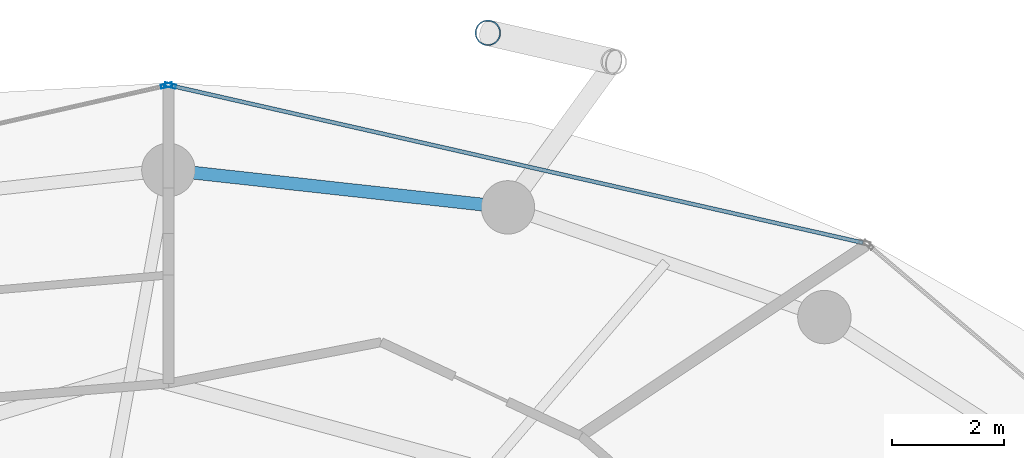
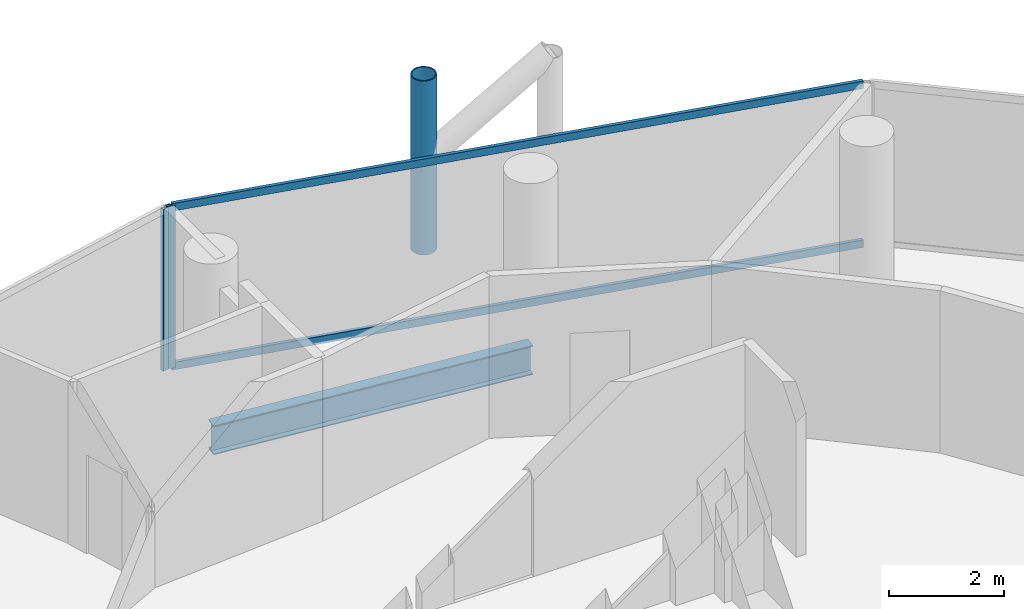
# One storey, part 17 of 26: 5 members, 1 beam, 2 elements without a shape of their own.
"""IFC4 building model written with IfcOpenShell, lengths in metres."""

from ifc_helpers import new_model, si_unit, direction, frame, origin, origin_2d, place, context, subcontext, project, spatial, hollow_rectangle, hollow_circle, i_section, extrude, material, layer, layer_set, material_profile, profile_set, type_object, element, aggregate, save


model = new_model("IFC4")

# Units and contexts
model_context = context("Model", 3, precision=1e-05, world=origin(), true_north=direction((0.0, 1.0)))
body_context = subcontext(model_context, "Body", "Model", "MODEL_VIEW")
ifc_project = project(units=[si_unit("LENGTHUNIT", "METRE"), si_unit("AREAUNIT", "SQUARE_METRE"), si_unit("VOLUMEUNIT", "CUBIC_METRE"), si_unit("PLANEANGLEUNIT", "RADIAN"), si_unit("MASSUNIT", "GRAM", prefix="KILO")], contexts=[model_context])

# Site, building, storey
site_placement = place(None, origin())
site = spatial("IfcSite", under=ifc_project, at=site_placement, CompositionType="ELEMENT")
building_placement = place(site_placement, origin())
building = spatial("IfcBuilding", under=site, at=building_placement, Name="Nuhasar Tower", CompositionType="ELEMENT")
storey_placement = place(building_placement, frame((0.0, 0.0, 133.050048828125)))
storey = spatial("IfcBuildingStorey", under=building, at=storey_placement, Name="L31", CompositionType="ELEMENT", Elevation=133.050048828125)

# Beam
ifc_material_1 = material(Name="Steel S355", Category="steel")
ifc_material_profile_1 = material_profile(ifc_material_1, i_section(OverallWidth=0.22998046875, OverallDepth=0.616943359375, WebThickness=0.01318359375, FlangeThickness=0.022216796875, at=origin_2d()), Name="W24X94")
ifc_profile_set_1 = profile_set([ifc_material_profile_1], Name="Steel S355")
beam_type = type_object("IfcBeamType", Name="BM-RING-W24X94", PredefinedType="SPANDREL", material=ifc_profile_set_1)
beam_placement = place(storey_placement, frame((45.04296875, 45.68408203125, -0.55810546875), z_axis=(-0.993981289157, 0.109549974015, 0.0), x_axis=(-0.109549974015, -0.993981289157, 0.0)))
element("IfcBeam", 1, at=beam_placement, inside=storey, type_object=beam_type, Name="L31 Perimeter Ring Spandrel 06", PredefinedType="SPANDREL", context=body_context, shape_type="SweptSolid", body=[
    extrude(i_section(OverallWidth=0.22998046875, OverallDepth=0.616943359375, WebThickness=0.01318359375, FlangeThickness=0.022216796875, at=origin_2d()), origin(), (0.0, 0.0, 1.0), 6.07958984375),
])

# Curtain wall, member
ifc_material_2 = material(Name="Aluminium 6063-T6", Category="aluminium")
ifc_layer = layer(ifc_material_2, 0.199951171875)
ifc_layer_set = layer_set([ifc_layer], Name="Aluminium 6063-T6")
curtain_wall_type = type_object("IfcCurtainWallType", Name="CW-Z2-HTL", PredefinedType="NOTDEFINED", material=ifc_layer_set)
curtain_wall_1_placement = place(storey_placement, origin())
curtain_wall_1 = element("IfcCurtainWall", 2, at=curtain_wall_1_placement, inside=storey, type_object=curtain_wall_type, Name="L31 Unitised Curtain Wall 03", PredefinedType="NOTDEFINED")
ifc_material_profile_2 = material_profile(ifc_material_2, hollow_rectangle(XDim=0.070068359375, YDim=0.199951171875, WallThickness=0.0048828125, at=origin_2d()), Name="CWM-3")
ifc_profile_set_2 = profile_set([ifc_material_profile_2], Name="Aluminium 6063-T6")
member_type_1 = type_object("IfcMemberType", Name="CW-MUL-S3", PredefinedType="MULLION", material=ifc_profile_set_2)
member_1_placement = place(storey_placement, frame((39.0341796875, 47.852294921875, 0.0), z_axis=(0.0, 0.0, 1.0), x_axis=(-0.22139729566, -0.975183694221, 0.0)))
member_1 = element("IfcMember", 3, at=member_1_placement, type_object=member_type_1, Name="CW-Z2 mullion 2", PredefinedType="MULLION", context=body_context, shape_type="SweptSolid", body=[
    extrude(hollow_rectangle(XDim=0.070068359375, YDim=0.199951171875, WallThickness=0.0048828125, at=origin_2d()), origin(), (0.0, 0.0, 1.0), 3.449951171875),
])

curtain_wall_2_placement = place(storey_placement, origin())
curtain_wall_2 = element("IfcCurtainWall", 4, at=curtain_wall_2_placement, inside=storey, type_object=curtain_wall_type, Name="L31 Unitised Curtain Wall 04", PredefinedType="NOTDEFINED")
member_2_placement = place(storey_placement, frame((38.9658203125, 47.852294921875, 0.0), z_axis=(0.0, 0.0, 1.0), x_axis=(0.22139729566, -0.975183694221, 0.0)))
member_2 = element("IfcMember", 5, at=member_2_placement, type_object=member_type_1, Name="CW-Z2 mullion 1", PredefinedType="MULLION", context=body_context, shape_type="SweptSolid", body=[
    extrude(hollow_rectangle(XDim=0.070068359375, YDim=0.199951171875, WallThickness=0.0048828125, at=origin_2d()), origin(), (0.0, 0.0, 1.0), 3.449951171875),
])
aggregate(curtain_wall_2, [member_2])

# Member
ifc_material_profile_3 = material_profile(ifc_material_2, hollow_rectangle(XDim=0.070068359375, YDim=0.159912109375, WallThickness=0.00439453125, at=origin_2d()), Name="CWT-3")
ifc_profile_set_3 = profile_set([ifc_material_profile_3], Name="Aluminium 6063-T6")
member_type_2 = type_object("IfcMemberType", Name="CW-TRN-S3", PredefinedType="USERDEFINED", material=ifc_profile_set_3)
member_3_placement = place(storey_placement, frame((51.36181640625, 45.053466796875, 0.034912109375), z_axis=(-0.975183434528, 0.221398439519, 0.0), x_axis=(-0.221398439519, -0.975183434528, 0.0)))
member_3 = element("IfcMember", 6, at=member_3_placement, type_object=member_type_2, Name="CW-Z2 transom 1.1", ObjectType="TRANSOM", PredefinedType="USERDEFINED", context=body_context, shape_type="SweptSolid", body=[
    extrude(hollow_rectangle(XDim=0.070068359375, YDim=0.159912109375, WallThickness=0.00439453125, at=origin_2d()), origin(), (0.0, 0.0, 1.0), 12.606201171875),
])

member_4_placement = place(storey_placement, frame((51.36181640625, 45.053466796875, 3.4150390625), z_axis=(-0.975183434528, 0.221398439519, 0.0), x_axis=(-0.221398439519, -0.975183434528, 0.0)))
member_4 = element("IfcMember", 7, at=member_4_placement, type_object=member_type_2, Name="CW-Z2 transom 1.2", ObjectType="TRANSOM", PredefinedType="USERDEFINED", context=body_context, shape_type="SweptSolid", body=[
    extrude(hollow_rectangle(XDim=0.070068359375, YDim=0.159912109375, WallThickness=0.00439453125, at=origin_2d()), origin(), (0.0, 0.0, 1.0), 12.606201171875),
])

aggregate(curtain_wall_1, [member_1, member_3, member_4])

ifc_material_3 = material(Name="Steel S460", Category="steel")
ifc_material_profile_4 = material_profile(ifc_material_3, hollow_circle(Radius=0.228515625, WallThickness=0.022216796875, at=origin_2d()), Name="HSS457X22.2")
ifc_profile_set_4 = profile_set([ifc_material_profile_4], Name="Steel S460")
member_type_3 = type_object("IfcMemberType", Name="EXO-BRONZE-457", PredefinedType="BRACE", material=ifc_profile_set_4)
member_5_placement = place(storey_placement, frame((44.68603515625, 48.7900390625, 0.0), z_axis=(0.0, 0.0, 1.0), x_axis=(1.0, 0.0, 0.0)))
element("IfcMember", 8, at=member_5_placement, inside=storey, type_object=member_type_3, Name="L31 Exoskeleton Chord Column EC-03B", PredefinedType="BRACE", context=body_context, shape_type="SweptSolid", body=[
    extrude(hollow_circle(Radius=0.228515625, WallThickness=0.022216796875, at=origin_2d()), origin(), (0.0, 0.0, 1.0), 3.699951171875),
])

save(model, "model.ifc")
